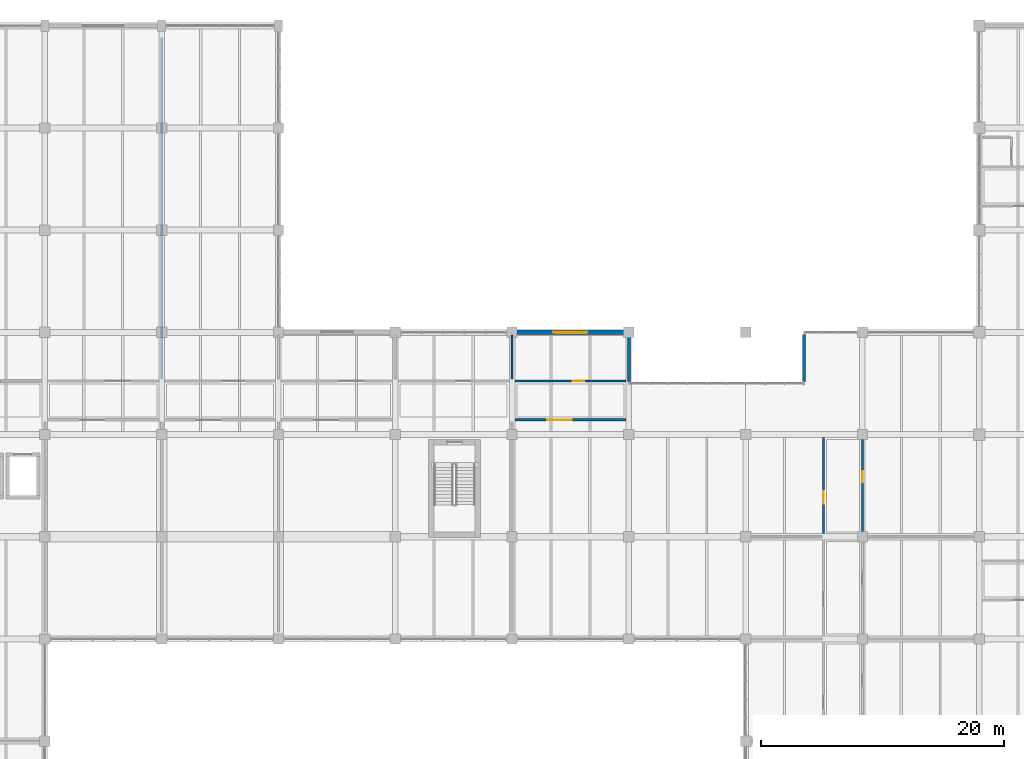
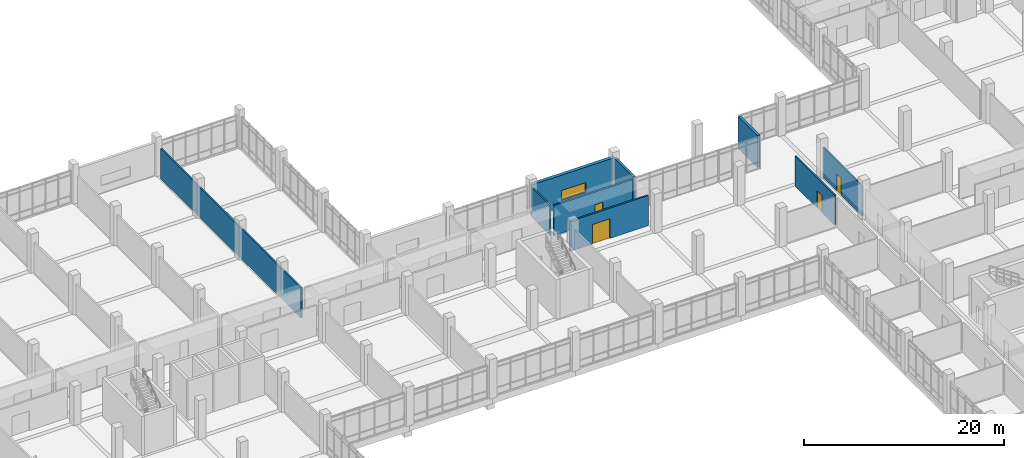
# One storey, part 126 of 152: 9 walls, 4 doors, 1 window, 5 openings.
"""IFC4 building model written with IfcOpenShell, lengths in metres."""

from ifc_helpers import new_model, si_unit, direction, frame, frame_2d, origin, place, context, subcontext, project, spatial, rectangle, extrude, material, layer, layer_set, type_object, element, fill, save


model = new_model("IFC4")

# Units and contexts
model_context = context("Model", 3, precision=1e-05, world=origin(), true_north=direction((0.0, 1.0)))
body_context = subcontext(model_context, "Body", "Model", "MODEL_VIEW")
ifc_project = project(units=[si_unit("LENGTHUNIT", "METRE"), si_unit("AREAUNIT", "SQUARE_METRE"), si_unit("VOLUMEUNIT", "CUBIC_METRE"), si_unit("PLANEANGLEUNIT", "RADIAN"), si_unit("MASSUNIT", "GRAM", prefix="KILO")], contexts=[model_context])

# Site, building, storey
site_placement = place(None, origin())
site = spatial("IfcSite", under=ifc_project, at=site_placement, CompositionType="ELEMENT")
building_placement = place(site_placement, origin())
building = spatial("IfcBuilding", under=site, at=building_placement, Name="Oolite Switchyard Hospital", CompositionType="ELEMENT")
storey_placement = place(building_placement, frame((0.0, 0.0, 5.10009765625)))
storey = spatial("IfcBuildingStorey", under=building, at=storey_placement, Name="L01", CompositionType="ELEMENT", Elevation=5.10009765625)

# Walls
ifc_material_1 = material(Name="Precast oolitic limestone architectural concrete C40/50", Category="masonry")
ifc_layer_1 = layer(ifc_material_1, 0.260009765625)
ifc_layer_set_1 = layer_set([ifc_layer_1], Name="WAL-EXT-260")
wall_type_1 = type_object("IfcWallType", Name="WAL-EXT-260", PredefinedType="SOLIDWALL", material=ifc_layer_set_1)
wall_1_placement = place(storey_placement, frame((105.60009765625, 109.0400390625, 0.0), z_axis=(0.0, 0.0, 1.0), x_axis=(0.0, -1.0, 0.0)))
element("IfcWall", 1, at=wall_1_placement, inside=storey, type_object=wall_type_1, Name="L01 Exterior Spandrel Wall 111", PredefinedType="SOLIDWALL", context=body_context, shape_type="SweptSolid", body=[
    extrude(rectangle(XDim=3.880126953125, YDim=0.260009765625, at=frame_2d((1.93994140625, 0.0))), origin(), (0.0, 0.0, 1.0), 3.93994140625),
])
ifc_layer_2 = layer(ifc_material_1, 0.280029296875)
ifc_layer_set_2 = layer_set([ifc_layer_2], Name="WAL-EXT-280")
wall_type_2 = type_object("IfcWallType", Name="WAL-EXT-280", PredefinedType="SOLIDWALL", material=ifc_layer_set_2)
wall_2_placement = place(storey_placement, frame((120.0, 105.159912109375, 0.0), z_axis=(0.0, 0.0, 1.0), x_axis=(0.0, 1.0, 0.0)))
element("IfcWall", 2, at=wall_2_placement, inside=storey, type_object=wall_type_2, Name="L01 Exterior Spandrel Wall 112", PredefinedType="SOLIDWALL", context=body_context, shape_type="SweptSolid", body=[
    extrude(rectangle(XDim=3.880126953125, YDim=0.280029296875, at=frame_2d((1.93994140625, 0.0))), origin(), (0.0, 0.0, 1.0), 3.93994140625),
])

# Wall, opening, window
ifc_layer_3 = layer(ifc_material_1, 0.3798828125)
ifc_layer_set_3 = layer_set([ifc_layer_3], Name="WAL-EXT-380")
wall_type_3 = type_object("IfcWallType", Name="WAL-EXT-380", PredefinedType="SOLIDWALL", material=ifc_layer_set_3)
wall_3_placement = place(storey_placement, frame((96.0, 109.199951171875, 0.0), z_axis=(0.0, 0.0, 1.0), x_axis=(1.0, 0.0, 0.0)))
wall_3 = element("IfcWall", 3, at=wall_3_placement, inside=storey, type_object=wall_type_3, Name="L01 Exterior Spandrel Wall 89", PredefinedType="SOLIDWALL", context=body_context, shape_type="SweptSolid", body=[
    extrude(rectangle(XDim=9.60009765625, YDim=0.3798828125, at=frame_2d((4.800048828125, 0.0))), origin(), (0.0, 0.0, 1.0), 3.93994140625),
])
opening_1_placement = place(wall_3_placement, frame((3.39990234375, 0.0, 0.85009765625)))
opening_1 = element("IfcOpeningElement", 4, at=opening_1_placement, cuts=wall_3, Name="Opening WN-0034", PredefinedType="OPENING", context=body_context, shape_type="SweptSolid", body=[
    extrude(rectangle(XDim=2.800048828125, YDim=1.199951171875, at=frame_2d((1.39990234375, 0.60009765625))), frame((0.0, 0.199951171875, 0.0), z_axis=(0.0, -1.0, 0.0), x_axis=(1.0, 0.0, 0.0)), (0.0, 0.0, 1.0), 0.39990234375),
])
ifc_material_2 = material(Name="Thermally broken aluminum frame with laminated impact glazing", Category="aluminium")
window_type = type_object("IfcWindowType", Name="WIN-IMP-280X120", PartitioningType="SINGLE_PANEL", PredefinedType="WINDOW", material=ifc_material_2)
window_placement = place(opening_1_placement, origin())
window = element("IfcWindow", 5, at=window_placement, inside=storey, type_object=window_type, Name="L01 Hurricane Impact Window WN-0034", OverallHeight=1.199951171875, OverallWidth=2.800048828125, PartitioningType="SINGLE_PANEL", PredefinedType="WINDOW", context=body_context, shape_type="SweptSolid", body=[
    extrude(rectangle(XDim=2.800048828125, YDim=1.199951171875, at=frame_2d((1.39990234375, 0.60009765625))), frame((0.0, 0.030029296875, 0.0), z_axis=(0.0, -1.0, 0.0), x_axis=(1.0, 0.0, 0.0)), (0.0, 0.0, 1.0), 0.06005859375),
])
fill(opening_1, window)

# Wall, opening, door
ifc_material_3 = material(Name="Moisture-resistant gypsum board on steel studs", Category="steel")
ifc_layer_4 = layer(ifc_material_3, 0.1650390625)
ifc_layer_set_4 = layer_set([ifc_layer_4], Name="WAL-PART-165")
wall_type_4 = type_object("IfcWallType", Name="WAL-PART-165", PredefinedType="PARTITIONING", material=ifc_layer_set_4)
wall_4_placement = place(storey_placement, frame((121.60009765625, 92.64990234375, 0.0), z_axis=(0.0, 0.0, 1.0), x_axis=(0.0, 1.0, 0.0)))
wall_4 = element("IfcWall", 6, at=wall_4_placement, inside=storey, type_object=wall_type_4, Name="L01 Interior Partition 299", PredefinedType="PARTITIONING", context=body_context, shape_type="SweptSolid", body=[
    extrude(rectangle(XDim=7.900146484375, YDim=0.1650390625, at=frame_2d((3.9501953125, 0.0))), origin(), (0.0, 0.0, 1.0), 3.679931640625),
])
opening_2_placement = place(wall_4_placement, frame((2.449951171875, 0.0, 0.0)))
opening_2 = element("IfcOpeningElement", 7, at=opening_2_placement, cuts=wall_4, Name="Opening D-0173", PredefinedType="OPENING", context=body_context, shape_type="SweptSolid", body=[
    extrude(rectangle(XDim=1.050048828125, YDim=2.10009765625, at=frame_2d((0.52490234375, 1.050048828125))), frame((0.0, 0.092529296875, 0.0), z_axis=(0.0, -1.0, 0.0), x_axis=(1.0, 0.0, 0.0)), (0.0, 0.0, 1.0), 0.18505859375),
])
ifc_material_4 = material(Name="Solid-core antimicrobial hardwood leaf in steel frame", Category="steel")
door_type_1 = type_object("IfcDoorType", Name="DR-EXAM-105X210", OperationType="NOTDEFINED", PredefinedType="DOOR", material=ifc_material_4)
door_1_placement = place(opening_2_placement, origin())
door_1 = element("IfcDoor", 8, at=door_1_placement, inside=storey, type_object=door_type_1, Name="L01 Interior Door D-0173", OperationType="SINGLE_SWING_RIGHT", OverallHeight=2.10009765625, OverallWidth=1.050048828125, PredefinedType="DOOR", context=body_context, shape_type="SweptSolid", body=[
    extrude(rectangle(XDim=1.050048828125, YDim=2.10009765625, at=frame_2d((0.52490234375, 1.050048828125))), frame((0.0, 0.02490234375, 0.0), z_axis=(0.0, -1.0, 0.0), x_axis=(1.0, 0.0, 0.0)), (0.0, 0.0, 1.0), 0.050048828125),
])
fill(opening_2, door_1)

wall_5_placement = place(storey_placement, frame((124.800048828125, 92.64990234375, 0.0), z_axis=(0.0, 0.0, 1.0), x_axis=(0.0, 1.0, 0.0)))
wall_5 = element("IfcWall", 9, at=wall_5_placement, inside=storey, type_object=wall_type_4, Name="L01 Interior Partition 301", PredefinedType="PARTITIONING", context=body_context, shape_type="SweptSolid", body=[
    extrude(rectangle(XDim=7.900146484375, YDim=0.1650390625, at=frame_2d((3.9501953125, 0.0))), origin(), (0.0, 0.0, 1.0), 3.679931640625),
])
opening_3_placement = place(wall_5_placement, frame((4.25, 0.0, 0.0)))
opening_3 = element("IfcOpeningElement", 10, at=opening_3_placement, cuts=wall_5, Name="Opening D-0174", PredefinedType="OPENING", context=body_context, shape_type="SweptSolid", body=[
    extrude(rectangle(XDim=0.89990234375, YDim=2.10009765625, at=frame_2d((0.449951171875, 1.050048828125))), frame((0.0, 0.092529296875, 0.0), z_axis=(0.0, -1.0, 0.0), x_axis=(1.0, 0.0, 0.0)), (0.0, 0.0, 1.0), 0.18505859375),
])
door_type_2 = type_object("IfcDoorType", Name="DR-BATH-090X210", OperationType="NOTDEFINED", PredefinedType="DOOR", material=ifc_material_4)
door_2_placement = place(opening_3_placement, origin())
door_2 = element("IfcDoor", 11, at=door_2_placement, inside=storey, type_object=door_type_2, Name="L01 Interior Door D-0174", OperationType="SINGLE_SWING_LEFT", OverallHeight=2.10009765625, OverallWidth=0.89990234375, PredefinedType="DOOR", context=body_context, shape_type="SweptSolid", body=[
    extrude(rectangle(XDim=0.89990234375, YDim=2.10009765625, at=frame_2d((0.449951171875, 1.050048828125))), frame((0.0, 0.02490234375, 0.0), z_axis=(0.0, -1.0, 0.0), x_axis=(1.0, 0.0, 0.0)), (0.0, 0.0, 1.0), 0.050048828125),
])
fill(opening_3, door_2)

# Walls
ifc_layer_5 = layer(ifc_material_3, 0.179931640625)
ifc_layer_set_5 = layer_set([ifc_layer_5], Name="WAL-PART-180")
wall_type_5 = type_object("IfcWallType", Name="WAL-PART-180", PredefinedType="PARTITIONING", material=ifc_layer_set_5)
wall_6_placement = place(storey_placement, frame((67.199951171875, 105.35009765625, 0.0), z_axis=(0.0, 0.0, 1.0), x_axis=(0.0, 1.0, 0.0)))
element("IfcWall", 12, at=wall_6_placement, inside=storey, type_object=wall_type_5, Name="L01 Interior Partition 183", PredefinedType="PARTITIONING", context=body_context, shape_type="SweptSolid", body=[
    extrude(rectangle(XDim=28.099853515625, YDim=0.179931640625, at=frame_2d((14.0498046875, 0.0))), origin(), (0.0, 0.0, 1.0), 3.679931640625),
])
wall_7_placement = place(storey_placement, frame((96.0, 105.35009765625, 0.0), z_axis=(0.0, 0.0, 1.0), x_axis=(0.0, 1.0, 0.0)))
element("IfcWall", 13, at=wall_7_placement, inside=storey, type_object=wall_type_5, Name="L01 Interior Partition 193", PredefinedType="PARTITIONING", context=body_context, shape_type="SweptSolid", body=[
    extrude(rectangle(XDim=3.64990234375, YDim=0.179931640625, at=frame_2d((1.824951171875, 0.0))), origin(), (0.0, 0.0, 1.0), 3.679931640625),
])

# Wall, opening, door
ifc_layer_6 = layer(ifc_material_3, 0.199951171875)
ifc_layer_set_6 = layer_set([ifc_layer_6], Name="WAL-SMK-200")
wall_type_6 = type_object("IfcWallType", Name="WAL-SMK-200", PredefinedType="PARTITIONING", material=ifc_layer_set_6)
wall_8_placement = place(storey_placement, frame((96.25, 102.0, 0.0), z_axis=(0.0, 0.0, 1.0), x_axis=(1.0, 0.0, 0.0)))
wall_8 = element("IfcWall", 14, at=wall_8_placement, inside=storey, type_object=wall_type_6, Name="L01 Interior Partition 190", PredefinedType="PARTITIONING", context=body_context, shape_type="SweptSolid", body=[
    extrude(rectangle(XDim=9.10009765625, YDim=0.199951171875, at=frame_2d((4.550048828125, 0.0))), origin(), (0.0, 0.0, 1.0), 3.679931640625),
])
opening_4_placement = place(wall_8_placement, frame((2.64990234375, 0.0, 0.0)))
opening_4 = element("IfcOpeningElement", 15, at=opening_4_placement, cuts=wall_8, Name="Opening D-0115", PredefinedType="OPENING", context=body_context, shape_type="SweptSolid", body=[
    extrude(rectangle(XDim=2.0, YDim=2.39990234375, at=frame_2d((1.0, 1.199951171875))), frame((0.0, 0.10986328125, 0.0), z_axis=(0.0, -1.0, 0.0), x_axis=(1.0, 0.0, 0.0)), (0.0, 0.0, 1.0), 0.219970703125),
])
ifc_material_5 = material(Name="Hollow metal fire-rated steel door assembly", Category="steel")
door_type_3 = type_object("IfcDoorType", Name="DR-OR-200X240", OperationType="NOTDEFINED", PredefinedType="DOOR", material=ifc_material_5)
door_3_placement = place(opening_4_placement, origin())
door_3 = element("IfcDoor", 16, at=door_3_placement, inside=storey, type_object=door_type_3, Name="L01 Interior Door D-0115", OperationType="DOUBLE_DOOR_SINGLE_SWING", OverallHeight=2.39990234375, OverallWidth=2.0, PredefinedType="DOOR", context=body_context, shape_type="SweptSolid", body=[
    extrude(rectangle(XDim=2.0, YDim=2.39990234375, at=frame_2d((1.0, 1.199951171875))), frame((0.0, 0.02490234375, 0.0), z_axis=(0.0, -1.0, 0.0), x_axis=(1.0, 0.0, 0.0)), (0.0, 0.0, 1.0), 0.050048828125),
])
fill(opening_4, door_3)

wall_9_placement = place(storey_placement, frame((96.25, 105.199951171875, 0.0), z_axis=(0.0, 0.0, 1.0), x_axis=(1.0, 0.0, 0.0)))
wall_9 = element("IfcWall", 17, at=wall_9_placement, inside=storey, type_object=wall_type_6, Name="L01 Interior Partition 192", PredefinedType="PARTITIONING", context=body_context, shape_type="SweptSolid", body=[
    extrude(rectangle(XDim=9.10009765625, YDim=0.199951171875, at=frame_2d((4.550048828125, 0.0))), origin(), (0.0, 0.0, 1.0), 3.679931640625),
])
opening_5_placement = place(wall_9_placement, frame((4.75, 0.0, 0.0)))
opening_5 = element("IfcOpeningElement", 18, at=opening_5_placement, cuts=wall_9, Name="Opening D-0116", PredefinedType="OPENING", context=body_context, shape_type="SweptSolid", body=[
    extrude(rectangle(XDim=0.949951171875, YDim=2.10009765625, at=frame_2d((0.47509765625, 1.050048828125))), frame((0.0, 0.10986328125, 0.0), z_axis=(0.0, -1.0, 0.0), x_axis=(1.0, 0.0, 0.0)), (0.0, 0.0, 1.0), 0.219970703125),
])
door_type_4 = type_object("IfcDoorType", Name="DR-BATH-095X210", OperationType="NOTDEFINED", PredefinedType="DOOR", material=ifc_material_4)
door_4_placement = place(opening_5_placement, origin())
door_4 = element("IfcDoor", 19, at=door_4_placement, inside=storey, type_object=door_type_4, Name="L01 Interior Door D-0116", OperationType="SINGLE_SWING_LEFT", OverallHeight=2.10009765625, OverallWidth=0.949951171875, PredefinedType="DOOR", context=body_context, shape_type="SweptSolid", body=[
    extrude(rectangle(XDim=0.949951171875, YDim=2.10009765625, at=frame_2d((0.47509765625, 1.050048828125))), frame((0.0, 0.02490234375, 0.0), z_axis=(0.0, -1.0, 0.0), x_axis=(1.0, 0.0, 0.0)), (0.0, 0.0, 1.0), 0.050048828125),
])
fill(opening_5, door_4)

save(model, "model.ifc")
